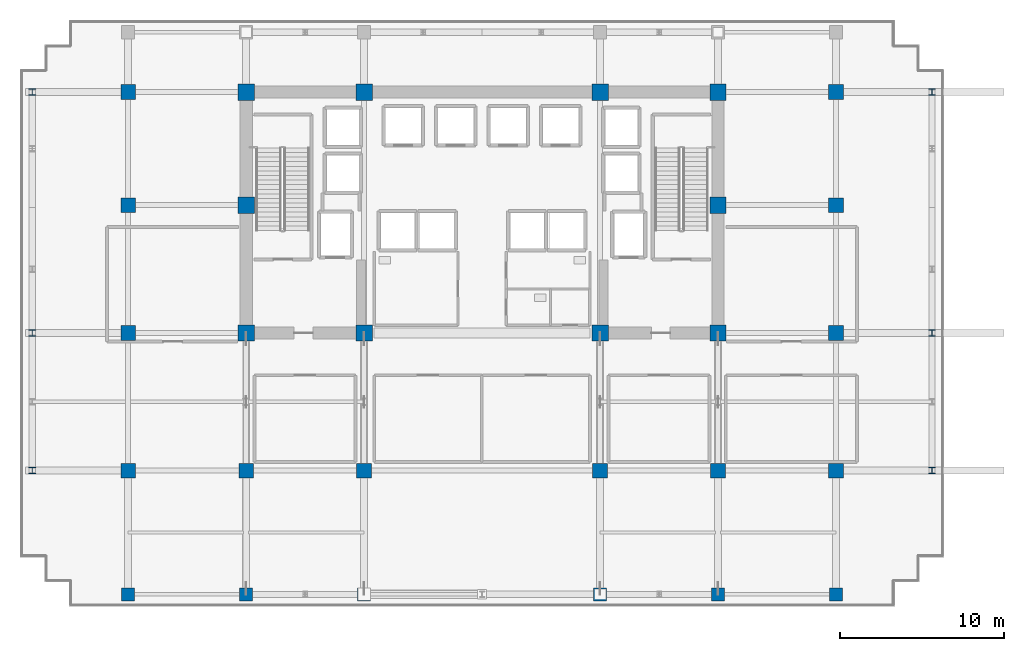
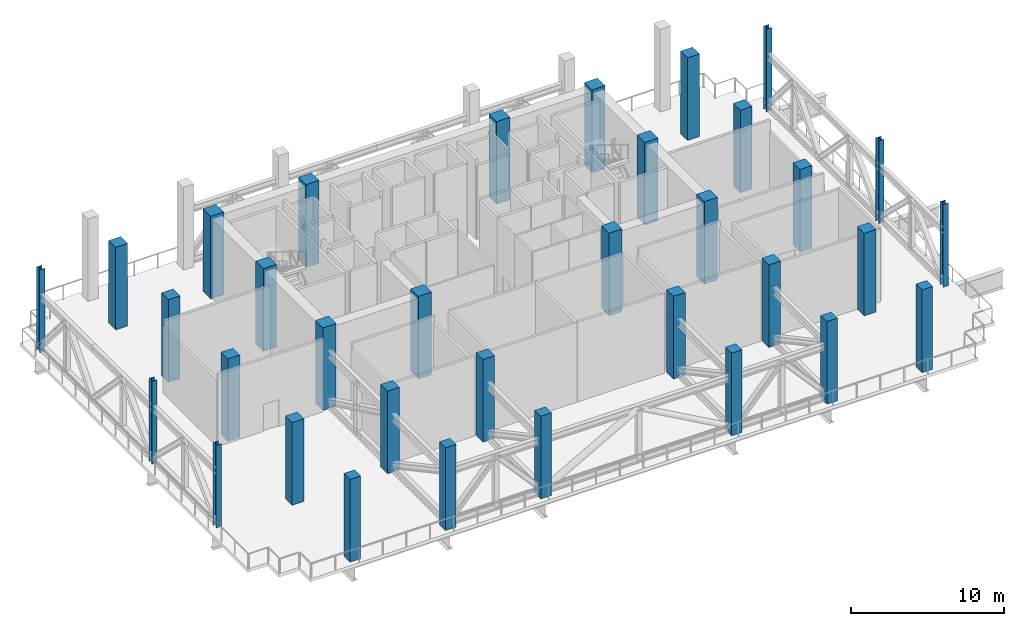
# One storey, part 1 of 15: 34 columns.
"""IFC4 building model written with IfcOpenShell, lengths in metres."""

from ifc_helpers import new_model, si_unit, direction, frame, origin, origin_2d, place, context, subcontext, project, spatial, rectangle, i_section, extrude, material, material_profile, profile_set, type_object, element, save


model = new_model("IFC4")

# Units and contexts
model_context = context("Model", 3, precision=1e-05, world=origin(), true_north=direction((0.0, 1.0)))
body_context = subcontext(model_context, "Body", "Model", "MODEL_VIEW")
ifc_project = project(units=[si_unit("LENGTHUNIT", "METRE"), si_unit("AREAUNIT", "SQUARE_METRE"), si_unit("VOLUMEUNIT", "CUBIC_METRE"), si_unit("PLANEANGLEUNIT", "RADIAN"), si_unit("MASSUNIT", "GRAM", prefix="KILO")], contexts=[model_context])

# Site, building, storey
site_placement = place(None, origin())
site = spatial("IfcSite", under=ifc_project, at=site_placement, CompositionType="ELEMENT")
building_placement = place(site_placement, origin())
building = spatial("IfcBuilding", under=site, at=building_placement, Name="Zarnakvel Exchange Tower", CompositionType="ELEMENT")
storey_placement = place(building_placement, frame((0.0, 0.0, 80.199951171875)))
storey = spatial("IfcBuildingStorey", under=building, at=storey_placement, Name="L22", CompositionType="ELEMENT", Elevation=80.199951171875)

# Columns
ifc_material_1 = material(Name="Concrete C60/75", Category="concrete")
ifc_material_profile_1 = material_profile(ifc_material_1, rectangle(XDim=1.0, YDim=1.0, at=origin_2d()))
ifc_profile_set_1 = profile_set([ifc_material_profile_1], Name="Concrete C60/75")
column_type_1 = type_object("IfcColumnType", Name="CC-02", PredefinedType="COLUMN", material=ifc_profile_set_1)
for number, where, z_axis, x_axis, name in (
    (1, (-14.39990234375, -1.199951171875, 0.0), (0.0, 0.0, 1.0), (1.0, 0.0, 0.0), "L22 Column C-4D (CC-02)"),
    (2, (-7.199951171875, -1.199951171875, 0.0), (0.0, 0.0, 1.0), (1.0, 0.0, 0.0), "L22 Column C-5D (CC-02)"),
    (3, (7.199951171875, -1.199951171875, 0.0), (0.0, 0.0, 1.0), (1.0, 0.0, 0.0), "L22 Column C-8D (CC-02)"),
    (4, (14.39990234375, -1.199951171875, 0.0), (0.0, 0.0, 1.0), (1.0, 0.0, 0.0), "L22 Column C-9D (CC-02)"),
    (5, (-14.39990234375, 6.60009765625, 0.0), (0.0, 0.0, 1.0), (1.0, 0.0, 0.0), "L22 Column C-4E (CC-02)"),
    (6, (14.39990234375, 6.60009765625, 0.0), (0.0, 0.0, 1.0), (1.0, 0.0, 0.0), "L22 Column C-9E (CC-02)"),
    (7, (-14.39990234375, 13.5, 0.0), (0.0, 0.0, 1.0), (1.0, 0.0, 0.0), "L22 Column C-4F (CC-02)"),
    (8, (-7.199951171875, 13.5, 0.0), (0.0, 0.0, 1.0), (1.0, 0.0, 0.0), "L22 Column C-5F (CC-02)"),
    (9, (7.199951171875, 13.5, 0.0), (0.0, 0.0, 1.0), (1.0, 0.0, 0.0), "L22 Column C-8F (CC-02)"),
    (10, (14.39990234375, 13.5, 0.0), (0.0, 0.0, 1.0), (1.0, 0.0, 0.0), "L22 Column C-9F (CC-02)"),
):
    element("IfcColumn", number, at=place(storey_placement, frame(where, z_axis=z_axis, x_axis=x_axis)), inside=storey, type_object=column_type_1, Name=name, PredefinedType="COLUMN", context=body_context, shape_type="SweptSolid", body=[
        extrude(rectangle(XDim=1.0, YDim=1.0, at=origin_2d()), origin(), (0.0, 0.0, 1.0), 6.60009765625),
    ])
ifc_material_2 = material(Name="Steel S355", Category="steel")
ifc_material_profile_2 = material_profile(ifc_material_2, i_section(OverallWidth=0.404052734375, OverallDepth=0.406982421875, WebThickness=0.0224609375, FlangeThickness=0.031982421875, FilletRadius=0.014892578125, at=origin_2d()))
ifc_profile_set_2 = profile_set([ifc_material_profile_2], Name="Steel S355")
column_type_2 = type_object("IfcColumnType", Name="SC-02", PredefinedType="COLUMN", material=ifc_profile_set_2)
for number, where, z_axis, x_axis, name in (
    (11, (-27.449951171875, -9.60009765625, 0.0), (0.0, 0.0, 1.0), (1.0, 0.0, 0.0), "L22 Column TW-C (SC-02)"),
    (12, (27.449951171875, -9.60009765625, 0.0), (0.0, 0.0, 1.0), (1.0, 0.0, 0.0), "L22 Column TE-C (SC-02)"),
    (13, (-27.449951171875, -1.199951171875, 0.0), (0.0, 0.0, 1.0), (1.0, 0.0, 0.0), "L22 Column TW-D (SC-02)"),
    (14, (27.449951171875, -1.199951171875, 0.0), (0.0, 0.0, 1.0), (1.0, 0.0, 0.0), "L22 Column TE-D (SC-02)"),
    (15, (-27.449951171875, 13.5, 0.0), (0.0, 0.0, 1.0), (1.0, 0.0, 0.0), "L22 Column TW-F (SC-02)"),
    (16, (27.449951171875, 13.5, 0.0), (0.0, 0.0, 1.0), (1.0, 0.0, 0.0), "L22 Column TE-F (SC-02)"),
):
    element("IfcColumn", number, at=place(storey_placement, frame(where, z_axis=z_axis, x_axis=x_axis)), inside=storey, type_object=column_type_2, Name=name, PredefinedType="COLUMN", context=body_context, shape_type="SweptSolid", body=[
        extrude(i_section(OverallWidth=0.404052734375, OverallDepth=0.406982421875, WebThickness=0.0224609375, FlangeThickness=0.031982421875, FilletRadius=0.014892578125, at=origin_2d()), origin(), (0.0, 0.0, 1.0), 6.60009765625),
    ])
ifc_material_profile_3 = material_profile(ifc_material_1, rectangle(XDim=0.89990234375, YDim=0.89990234375, at=origin_2d()))
ifc_profile_set_3 = profile_set([ifc_material_profile_3], Name="Concrete C60/75")
column_type_3 = type_object("IfcColumnType", Name="TC-02", PredefinedType="COLUMN", material=ifc_profile_set_3)
for number, where, z_axis, x_axis, name in (
    (17, (-14.39990234375, -9.60009765625, 0.0), (0.0, 0.0, 1.0), (1.0, 0.0, 0.0), "L22 Column T-4C (TC-02)"),
    (18, (-7.199951171875, -9.60009765625, 0.0), (0.0, 0.0, 1.0), (1.0, 0.0, 0.0), "L22 Column T-5C (TC-02)"),
    (19, (7.199951171875, -9.60009765625, 0.0), (0.0, 0.0, 1.0), (1.0, 0.0, 0.0), "L22 Column T-8C (TC-02)"),
    (20, (14.39990234375, -9.60009765625, 0.0), (0.0, 0.0, 1.0), (1.0, 0.0, 0.0), "L22 Column T-9C (TC-02)"),
    (21, (-21.60009765625, -9.60009765625, 0.0), (0.0, 0.0, 1.0), (1.0, 0.0, 0.0), "L22 Column T-3C (TC-02)"),
    (22, (-21.60009765625, -1.199951171875, 0.0), (0.0, 0.0, 1.0), (1.0, 0.0, 0.0), "L22 Column T-3D (TC-02)"),
    (23, (-21.60009765625, 6.60009765625, 0.0), (0.0, 0.0, 1.0), (1.0, 0.0, 0.0), "L22 Column T-3E (TC-02)"),
    (24, (-21.60009765625, 13.5, 0.0), (0.0, 0.0, 1.0), (1.0, 0.0, 0.0), "L22 Column T-3F (TC-02)"),
    (25, (21.60009765625, -9.60009765625, 0.0), (0.0, 0.0, 1.0), (1.0, 0.0, 0.0), "L22 Column T-10C (TC-02)"),
    (26, (21.60009765625, -1.199951171875, 0.0), (0.0, 0.0, 1.0), (1.0, 0.0, 0.0), "L22 Column T-10D (TC-02)"),
    (27, (21.60009765625, 6.60009765625, 0.0), (0.0, 0.0, 1.0), (1.0, 0.0, 0.0), "L22 Column T-10E (TC-02)"),
    (28, (21.60009765625, 13.5, 0.0), (0.0, 0.0, 1.0), (1.0, 0.0, 0.0), "L22 Column T-10F (TC-02)"),
):
    element("IfcColumn", number, at=place(storey_placement, frame(where, z_axis=z_axis, x_axis=x_axis)), inside=storey, type_object=column_type_3, Name=name, PredefinedType="COLUMN", context=body_context, shape_type="SweptSolid", body=[
        extrude(rectangle(XDim=0.89990234375, YDim=0.89990234375, at=origin_2d()), origin(), (0.0, 0.0, 1.0), 6.60009765625),
    ])
ifc_material_profile_4 = material_profile(ifc_material_1, rectangle(XDim=0.800048828125, YDim=0.800048828125, at=origin_2d()))
ifc_profile_set_4 = profile_set([ifc_material_profile_4], Name="Concrete C60/75")
column_type_4 = type_object("IfcColumnType", Name="TC-03", PredefinedType="COLUMN", material=ifc_profile_set_4)
for number, where, z_axis, x_axis, name in (
    (29, (-14.39990234375, -17.14990234375, 0.0), (0.0, 0.0, 1.0), (1.0, 0.0, 0.0), "L22 Column TS-4 (TC-03)"),
    (30, (-7.199951171875, -17.14990234375, 0.0), (0.0, 0.0, 1.0), (1.0, 0.0, 0.0), "L22 Column TS-5 (TC-03)"),
    (31, (7.199951171875, -17.14990234375, 0.0), (0.0, 0.0, 1.0), (1.0, 0.0, 0.0), "L22 Column TS-8 (TC-03)"),
    (32, (14.39990234375, -17.14990234375, 0.0), (0.0, 0.0, 1.0), (1.0, 0.0, 0.0), "L22 Column TS-9 (TC-03)"),
    (33, (-21.60009765625, -17.14990234375, 0.0), (0.0, 0.0, 1.0), (1.0, 0.0, 0.0), "L22 Column TS-3 (TC-03)"),
    (34, (21.60009765625, -17.14990234375, 0.0), (0.0, 0.0, 1.0), (1.0, 0.0, 0.0), "L22 Column TS-10 (TC-03)"),
):
    element("IfcColumn", number, at=place(storey_placement, frame(where, z_axis=z_axis, x_axis=x_axis)), inside=storey, type_object=column_type_4, Name=name, PredefinedType="COLUMN", context=body_context, shape_type="SweptSolid", body=[
        extrude(rectangle(XDim=0.800048828125, YDim=0.800048828125, at=origin_2d()), origin(), (0.0, 0.0, 1.0), 6.60009765625),
    ])

save(model, "model.ifc")
